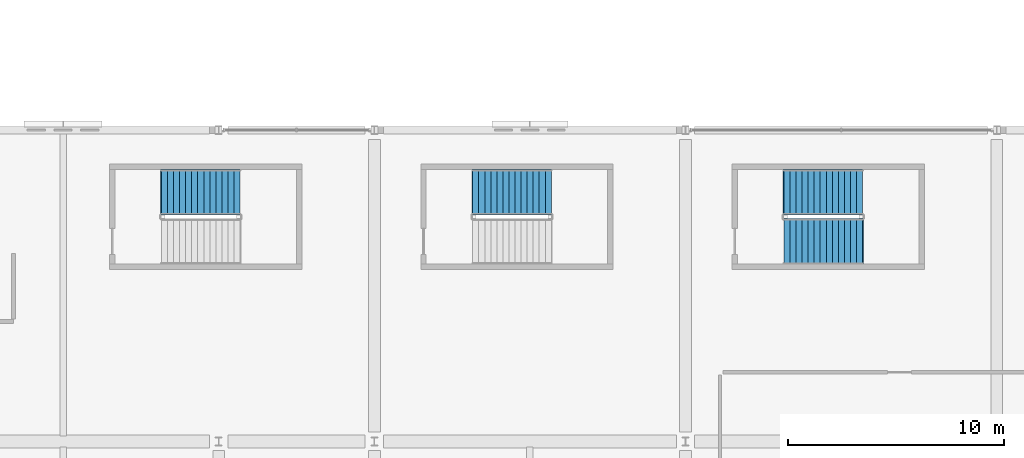
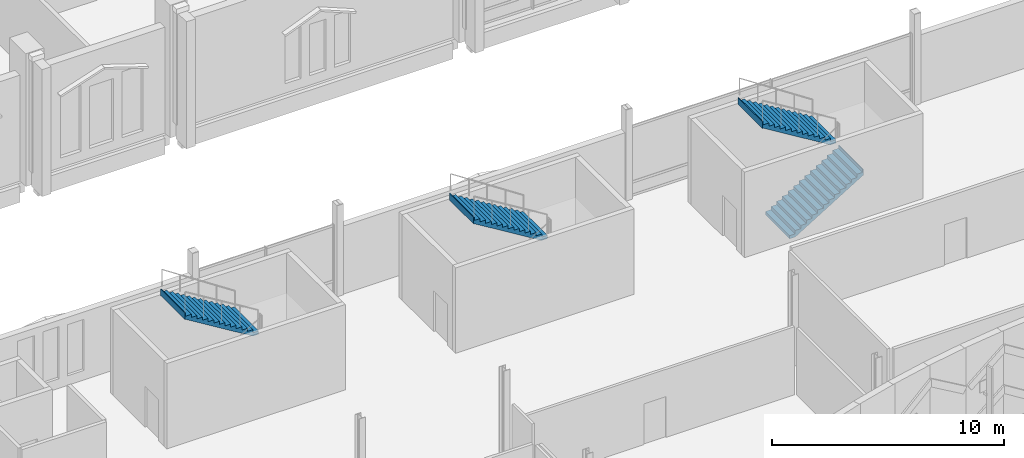
# One storey, part 186 of 220: 4 stair flights, 3 elements without a shape of their own.
"""IFC4 building model written with IfcOpenShell, lengths in metres."""

from ifc_helpers import new_model, si_unit, direction, frame, origin, place, context, subcontext, project, spatial, triangles, material, type_object, element, aggregate, save


model = new_model("IFC4")

# Units and contexts
model_context = context("Model", 3, precision=1e-05, world=origin(), true_north=direction((0.0, 1.0)))
body_context = subcontext(model_context, "Body", "Model", "MODEL_VIEW")
ifc_project = project(units=[si_unit("LENGTHUNIT", "METRE"), si_unit("AREAUNIT", "SQUARE_METRE"), si_unit("VOLUMEUNIT", "CUBIC_METRE"), si_unit("PLANEANGLEUNIT", "RADIAN"), si_unit("MASSUNIT", "GRAM", prefix="KILO")], contexts=[model_context])

# Site, building, storey
site_placement = place(None, origin())
site = spatial("IfcSite", under=ifc_project, at=site_placement, CompositionType="ELEMENT")
building_placement = place(site_placement, origin())
building = spatial("IfcBuilding", under=site, at=building_placement, Name="Cendralis Lancet Convention Centre", CompositionType="ELEMENT")
storey_placement = place(building_placement, frame((0.0, 0.0, 5.39990234375)))
storey = spatial("IfcBuildingStorey", under=building, at=storey_placement, Name="L01", CompositionType="ELEMENT", Elevation=5.39990234375)

# Stair, stair flight
ifc_material = material(Name="Concrete G35 (C35/45)", Category="concrete")
stair_type = type_object("IfcStairType", Name="ARC-ST-CORE", PredefinedType="HALF_TURN_STAIR", material=ifc_material)
stair_1_placement = place(storey_placement, origin())
stair_1 = element("IfcStair", 1, at=stair_1_placement, inside=storey, type_object=stair_type, Name="L01 Protected Exit Stair ST-12", PredefinedType="HALF_TURN_STAIR")
stair_flight_type = type_object("IfcStairFlightType", Name="ARC-SF-CORE", PredefinedType="STRAIGHT", material=ifc_material)
stair_flight_1_placement = place(storey_placement, frame((72.989990234375, 33.1298828125, 2.400146484375), z_axis=(0.0, 0.0, 1.0), x_axis=(-1.0, 0.0, 0.0)))
stair_flight_1 = element("IfcStairFlight", 2, at=stair_flight_1_placement, type_object=stair_flight_type, Name="ST-12 flight 2", NumberOfRisers=14, NumberOfTreads=13, PredefinedType="STRAIGHT", RiserHeight=0.171428571, TreadLength=0.28, context=body_context, shape_type="Tessellation", body=[
    triangles([(0.0, 0.0, 0.085714), (0.0, 1.050049, 0.0), (0.0, -1.050049, 0.0), (0.0, -1.050049, 0.171429), (0.0, 1.050049, 0.171429), (0.14, 0.0, 0.171429), (0.28, -1.050049, 0.171429), (0.28, 1.050049, 0.171429), (0.14, 0.0, 0.0), (0.28, -1.050049, 0.0), (0.28, 1.050049, 0.0), (0.28, 0.0, 0.257143), (0.28, -1.050049, 0.342857), (0.28, 1.050049, 0.342857), (0.283543, 0.0, 0.342857), (0.287085, -1.050049, 0.342857), (0.287085, 1.050049, 0.342857), (0.283543, 0.0, 0.0), (0.287085, -1.050049, 0.0), (0.287085, 1.050049, 0.0), (0.423543, 0.0, 0.342857), (0.56, -1.050049, 0.342857), (0.56, 1.050049, 0.342857), (0.423543, 0.0, 0.083545), (0.56, -1.050049, 0.167091), (0.56, 1.050049, 0.167091), (0.56, 0.0, 0.428572), (0.56, -1.050049, 0.514286), (0.56, 1.050049, 0.514286), (0.7, 0.0, 0.514286), (0.84, -1.050049, 0.514286), (0.84, 1.050049, 0.514286), (0.7, 0.0, 0.252806), (0.84, -1.050049, 0.33852), (0.84, 1.050049, 0.33852), (0.84, 0.0, 0.6), (0.84, -1.050049, 0.685714), (0.84, 1.050049, 0.685714), (0.98, 0.0, 0.685714), (1.12, -1.050049, 0.685714), (1.12, 1.050049, 0.685714), (0.98, 0.0, 0.424234), (1.12, -1.050049, 0.509948), (1.12, 1.050049, 0.509948), (1.12, 0.0, 0.771429), (1.12, -1.050049, 0.857143), (1.12, 1.050049, 0.857143), (1.26, 0.0, 0.857143), (1.4, -1.050049, 0.857143), (1.4, 1.050049, 0.857143), (1.26, 0.0, 0.595662), (1.4, -1.050049, 0.681377), (1.4, 1.050049, 0.681377), (1.4, 0.0, 0.942857), (1.4, -1.050049, 1.028571), (1.4, 1.050049, 1.028571), (1.54, 0.0, 1.028571), (1.68, -1.050049, 1.028571), (1.68, 1.050049, 1.028571), (1.54, 0.0, 0.767091), (1.68, -1.050049, 0.852805), (1.68, 1.050049, 0.852805), (1.68, 0.0, 1.114286), (1.68, -1.050049, 1.2), (1.68, 1.050049, 1.2), (1.82, 0.0, 1.2), (1.96, -1.050049, 1.2), (1.96, 1.050049, 1.2), (1.82, 0.0, 0.938519), (1.96, -1.050049, 1.024234), (1.96, 1.050049, 1.024234), (1.96, 0.0, 1.285715), (1.96, -1.050049, 1.371429), (1.96, 1.050049, 1.371429), (2.1, 0.0, 1.371429), (2.24, -1.050049, 1.371429), (2.24, 1.050049, 1.371429), (2.1, 0.0, 1.109948), (2.24, -1.050049, 1.195662), (2.24, 1.050049, 1.195662), (2.24, 0.0, 1.457143), (2.24, -1.050049, 1.542857), (2.24, 1.050049, 1.542857), (2.38, 0.0, 1.542857), (2.52, -1.050049, 1.542857), (2.52, 1.050049, 1.542857), (2.38, 0.0, 1.281376), (2.52, -1.050049, 1.367091), (2.52, 1.050049, 1.367091), (2.52, 0.0, 1.628572), (2.52, -1.050049, 1.714286), (2.52, 1.050049, 1.714286), (2.66, 0.0, 1.714286), (2.8, -1.050049, 1.714286), (2.8, 1.050049, 1.714286), (2.66, 0.0, 1.452806), (2.8, -1.050049, 1.53852), (2.8, 1.050049, 1.53852), (2.8, 0.0, 1.8), (2.8, -1.050049, 1.885714), (2.8, 1.050049, 1.885714), (2.94, 0.0, 1.885714), (3.08, -1.050049, 1.885714), (3.08, 1.050049, 1.885714), (2.94, 0.0, 1.624234), (3.08, -1.050049, 1.709948), (3.08, 1.050049, 1.709948), (3.08, 0.0, 1.971429), (3.08, -1.050049, 2.057143), (3.08, 1.050049, 2.057143), (3.22, 0.0, 2.057143), (3.36, -1.050049, 2.057143), (3.36, 1.050049, 2.057143), (3.22, 0.0, 1.795663), (3.36, -1.050049, 1.881377), (3.36, 1.050049, 1.881377), (3.36, 0.0, 2.142857), (3.36, -1.050049, 2.228571), (3.36, 1.050049, 2.228571), (3.5, 0.0, 2.228571), (3.64, -1.050049, 2.228571), (3.64, 1.050049, 2.228571), (3.5, 0.0, 1.967091), (3.64, -1.050049, 2.052805), (3.64, 1.050049, 2.052805), (3.64, 0.0, 2.314285), (3.64, -1.050049, 2.4), (3.64, 1.050049, 2.4), (3.66, 0.0, 2.4), (3.68, -1.050049, 2.4), (3.68, 1.050049, 2.4), (3.66, 0.0, 2.052805), (3.68, -1.050049, 2.052805), (3.68, 1.050049, 2.052805), (3.68, 0.0, 2.226403)], [[2, 3, 1], [3, 4, 1], [4, 5, 1], [5, 2, 1], [4, 7, 6], [7, 8, 6], [8, 5, 6], [5, 4, 6], [10, 3, 9], [3, 2, 9], [2, 11, 9], [11, 10, 9], [3, 10, 7], [3, 7, 4], [2, 8, 11], [2, 5, 8], [8, 7, 12], [7, 13, 12], [13, 14, 12], [14, 8, 12], [13, 16, 15], [16, 17, 15], [17, 14, 15], [14, 13, 15], [19, 10, 18], [10, 11, 18], [11, 20, 18], [20, 19, 18], [10, 19, 16], [10, 16, 7], [7, 16, 13], [11, 17, 20], [11, 8, 17], [8, 14, 17], [16, 22, 21], [22, 23, 21], [23, 17, 21], [17, 16, 21], [25, 19, 24], [19, 20, 24], [20, 26, 24], [26, 25, 24], [19, 25, 22], [19, 22, 16], [20, 23, 26], [20, 17, 23], [23, 22, 27], [22, 28, 27], [28, 29, 27], [29, 23, 27], [28, 31, 30], [31, 32, 30], [32, 29, 30], [29, 28, 30], [34, 25, 33], [25, 26, 33], [26, 35, 33], [35, 34, 33], [25, 34, 31], [25, 31, 22], [22, 31, 28], [26, 32, 35], [26, 23, 32], [23, 29, 32], [32, 31, 36], [31, 37, 36], [37, 38, 36], [38, 32, 36], [37, 40, 39], [40, 41, 39], [41, 38, 39], [38, 37, 39], [43, 34, 42], [34, 35, 42], [35, 44, 42], [44, 43, 42], [34, 43, 40], [34, 40, 31], [31, 40, 37], [35, 41, 44], [35, 32, 41], [32, 38, 41], [41, 40, 45], [40, 46, 45], [46, 47, 45], [47, 41, 45], [46, 49, 48], [49, 50, 48], [50, 47, 48], [47, 46, 48], [52, 43, 51], [43, 44, 51], [44, 53, 51], [53, 52, 51], [43, 52, 49], [43, 49, 40], [40, 49, 46], [44, 50, 53], [44, 41, 50], [41, 47, 50], [50, 49, 54], [49, 55, 54], [55, 56, 54], [56, 50, 54], [55, 58, 57], [58, 59, 57], [59, 56, 57], [56, 55, 57], [61, 52, 60], [52, 53, 60], [53, 62, 60], [62, 61, 60], [52, 61, 58], [52, 58, 49], [49, 58, 55], [53, 59, 62], [53, 50, 59], [50, 56, 59], [59, 58, 63], [58, 64, 63], [64, 65, 63], [65, 59, 63], [64, 67, 66], [67, 68, 66], [68, 65, 66], [65, 64, 66], [70, 61, 69], [61, 62, 69], [62, 71, 69], [71, 70, 69], [61, 70, 67], [61, 67, 58], [58, 67, 64], [62, 68, 71], [62, 59, 68], [59, 65, 68], [68, 67, 72], [67, 73, 72], [73, 74, 72], [74, 68, 72], [73, 76, 75], [76, 77, 75], [77, 74, 75], [74, 73, 75], [79, 70, 78], [70, 71, 78], [71, 80, 78], [80, 79, 78], [70, 79, 76], [70, 76, 67], [67, 76, 73], [71, 77, 80], [71, 68, 77], [68, 74, 77], [77, 76, 81], [76, 82, 81], [82, 83, 81], [83, 77, 81], [82, 85, 84], [85, 86, 84], [86, 83, 84], [83, 82, 84], [88, 79, 87], [79, 80, 87], [80, 89, 87], [89, 88, 87], [79, 88, 85], [79, 85, 76], [76, 85, 82], [80, 86, 89], [80, 77, 86], [77, 83, 86], [86, 85, 90], [85, 91, 90], [91, 92, 90], [92, 86, 90], [91, 94, 93], [94, 95, 93], [95, 92, 93], [92, 91, 93], [97, 88, 96], [88, 89, 96], [89, 98, 96], [98, 97, 96], [88, 97, 94], [88, 94, 85], [85, 94, 91], [89, 95, 98], [89, 86, 95], [86, 92, 95], [95, 94, 99], [94, 100, 99], [100, 101, 99], [101, 95, 99], [100, 103, 102], [103, 104, 102], [104, 101, 102], [101, 100, 102], [106, 97, 105], [97, 98, 105], [98, 107, 105], [107, 106, 105], [97, 106, 103], [97, 103, 94], [94, 103, 100], [98, 104, 107], [98, 95, 104], [95, 101, 104], [104, 103, 108], [103, 109, 108], [109, 110, 108], [110, 104, 108], [109, 112, 111], [112, 113, 111], [113, 110, 111], [110, 109, 111], [115, 106, 114], [106, 107, 114], [107, 116, 114], [116, 115, 114], [106, 115, 112], [106, 112, 103], [103, 112, 109], [107, 113, 116], [107, 104, 113], [104, 110, 113], [113, 112, 117], [112, 118, 117], [118, 119, 117], [119, 113, 117], [118, 121, 120], [121, 122, 120], [122, 119, 120], [119, 118, 120], [124, 115, 123], [115, 116, 123], [116, 125, 123], [125, 124, 123], [115, 124, 121], [115, 121, 112], [112, 121, 118], [116, 122, 125], [116, 113, 122], [113, 119, 122], [122, 121, 126], [121, 127, 126], [127, 128, 126], [128, 122, 126], [127, 130, 129], [130, 131, 129], [131, 128, 129], [128, 127, 129], [133, 124, 132], [124, 125, 132], [125, 134, 132], [134, 133, 132], [124, 133, 130], [124, 130, 121], [121, 130, 127], [125, 131, 134], [125, 122, 131], [122, 128, 131], [133, 134, 135], [134, 131, 135], [131, 130, 135], [130, 133, 135]], closed=True),
])
aggregate(stair_1, [stair_flight_1])

# Stair, stair flights
stair_2_placement = place(storey_placement, origin())
stair_2 = element("IfcStair", 3, at=stair_2_placement, inside=storey, type_object=stair_type, Name="L01 Protected Exit Stair ST-18", PredefinedType="HALF_TURN_STAIR")
stair_flight_2_placement = place(storey_placement, frame((98.14990234375, 30.85009765625, 0.0), z_axis=(0.0, 0.0, 1.0), x_axis=(1.0, 0.0, 0.0)))
stair_flight_2 = element("IfcStairFlight", 4, at=stair_flight_2_placement, type_object=stair_flight_type, Name="ST-18 flight 1", NumberOfRisers=14, NumberOfTreads=13, PredefinedType="STRAIGHT", RiserHeight=0.171428571, TreadLength=0.28, context=body_context, shape_type="Tessellation", body=[
    triangles([(0.0, 0.0, 0.085714), (0.0, 1.050049, 0.0), (0.0, -1.050049, 0.0), (0.0, -1.050049, 0.171429), (0.0, 1.050049, 0.171429), (0.14, 0.0, 0.171429), (0.28, -1.050049, 0.171429), (0.28, 1.050049, 0.171429), (0.14, 0.0, 0.0), (0.28, -1.050049, 0.0), (0.28, 1.050049, 0.0), (0.28, 0.0, 0.257143), (0.28, -1.050049, 0.342857), (0.28, 1.050049, 0.342857), (0.283543, 0.0, 0.342857), (0.287085, -1.050049, 0.342857), (0.287085, 1.050049, 0.342857), (0.283543, 0.0, 0.0), (0.287085, -1.050049, 0.0), (0.287085, 1.050049, 0.0), (0.423543, 0.0, 0.342857), (0.56, -1.050049, 0.342857), (0.56, 1.050049, 0.342857), (0.423543, 0.0, 0.083545), (0.56, -1.050049, 0.167091), (0.56, 1.050049, 0.167091), (0.56, 0.0, 0.428572), (0.56, -1.050049, 0.514286), (0.56, 1.050049, 0.514286), (0.7, 0.0, 0.514286), (0.84, -1.050049, 0.514286), (0.84, 1.050049, 0.514286), (0.7, 0.0, 0.252806), (0.84, -1.050049, 0.33852), (0.84, 1.050049, 0.33852), (0.84, 0.0, 0.6), (0.84, -1.050049, 0.685714), (0.84, 1.050049, 0.685714), (0.98, 0.0, 0.685714), (1.12, -1.050049, 0.685714), (1.12, 1.050049, 0.685714), (0.98, 0.0, 0.424234), (1.12, -1.050049, 0.509948), (1.12, 1.050049, 0.509948), (1.12, 0.0, 0.771429), (1.12, -1.050049, 0.857143), (1.12, 1.050049, 0.857143), (1.26, 0.0, 0.857143), (1.4, -1.050049, 0.857143), (1.4, 1.050049, 0.857143), (1.26, 0.0, 0.595662), (1.4, -1.050049, 0.681377), (1.4, 1.050049, 0.681377), (1.4, 0.0, 0.942857), (1.4, -1.050049, 1.028571), (1.4, 1.050049, 1.028571), (1.54, 0.0, 1.028571), (1.68, -1.050049, 1.028571), (1.68, 1.050049, 1.028571), (1.54, 0.0, 0.767091), (1.68, -1.050049, 0.852805), (1.68, 1.050049, 0.852805), (1.68, 0.0, 1.114286), (1.68, -1.050049, 1.2), (1.68, 1.050049, 1.2), (1.82, 0.0, 1.2), (1.96, -1.050049, 1.2), (1.96, 1.050049, 1.2), (1.82, 0.0, 0.938519), (1.96, -1.050049, 1.024234), (1.96, 1.050049, 1.024234), (1.96, 0.0, 1.285715), (1.96, -1.050049, 1.371429), (1.96, 1.050049, 1.371429), (2.1, 0.0, 1.371429), (2.24, -1.050049, 1.371429), (2.24, 1.050049, 1.371429), (2.1, 0.0, 1.109948), (2.24, -1.050049, 1.195662), (2.24, 1.050049, 1.195662), (2.24, 0.0, 1.457143), (2.24, -1.050049, 1.542857), (2.24, 1.050049, 1.542857), (2.38, 0.0, 1.542857), (2.52, -1.050049, 1.542857), (2.52, 1.050049, 1.542857), (2.38, 0.0, 1.281376), (2.52, -1.050049, 1.367091), (2.52, 1.050049, 1.367091), (2.52, 0.0, 1.628572), (2.52, -1.050049, 1.714286), (2.52, 1.050049, 1.714286), (2.66, 0.0, 1.714286), (2.8, -1.050049, 1.714286), (2.8, 1.050049, 1.714286), (2.66, 0.0, 1.452806), (2.8, -1.050049, 1.53852), (2.8, 1.050049, 1.53852), (2.8, 0.0, 1.8), (2.8, -1.050049, 1.885714), (2.8, 1.050049, 1.885714), (2.94, 0.0, 1.885714), (3.08, -1.050049, 1.885714), (3.08, 1.050049, 1.885714), (2.94, 0.0, 1.624234), (3.08, -1.050049, 1.709948), (3.08, 1.050049, 1.709948), (3.08, 0.0, 1.971429), (3.08, -1.050049, 2.057143), (3.08, 1.050049, 2.057143), (3.22, 0.0, 2.057143), (3.36, -1.050049, 2.057143), (3.36, 1.050049, 2.057143), (3.22, 0.0, 1.795663), (3.36, -1.050049, 1.881377), (3.36, 1.050049, 1.881377), (3.36, 0.0, 2.142857), (3.36, -1.050049, 2.228571), (3.36, 1.050049, 2.228571), (3.5, 0.0, 2.228571), (3.64, -1.050049, 2.228571), (3.64, 1.050049, 2.228571), (3.5, 0.0, 1.967091), (3.64, -1.050049, 2.052805), (3.64, 1.050049, 2.052805), (3.64, 0.0, 2.314285), (3.64, -1.050049, 2.4), (3.64, 1.050049, 2.4), (3.66, 0.0, 2.4), (3.68, -1.050049, 2.4), (3.68, 1.050049, 2.4), (3.66, 0.0, 2.052805), (3.68, -1.050049, 2.052805), (3.68, 1.050049, 2.052805), (3.68, 0.0, 2.226403)], [[2, 3, 1], [3, 4, 1], [4, 5, 1], [5, 2, 1], [4, 7, 6], [7, 8, 6], [8, 5, 6], [5, 4, 6], [10, 3, 9], [3, 2, 9], [2, 11, 9], [11, 10, 9], [3, 10, 7], [3, 7, 4], [2, 8, 11], [2, 5, 8], [8, 7, 12], [7, 13, 12], [13, 14, 12], [14, 8, 12], [13, 16, 15], [16, 17, 15], [17, 14, 15], [14, 13, 15], [19, 10, 18], [10, 11, 18], [11, 20, 18], [20, 19, 18], [10, 19, 16], [10, 16, 7], [7, 16, 13], [11, 17, 20], [11, 8, 17], [8, 14, 17], [16, 22, 21], [22, 23, 21], [23, 17, 21], [17, 16, 21], [25, 19, 24], [19, 20, 24], [20, 26, 24], [26, 25, 24], [19, 25, 22], [19, 22, 16], [20, 23, 26], [20, 17, 23], [23, 22, 27], [22, 28, 27], [28, 29, 27], [29, 23, 27], [28, 31, 30], [31, 32, 30], [32, 29, 30], [29, 28, 30], [34, 25, 33], [25, 26, 33], [26, 35, 33], [35, 34, 33], [25, 34, 31], [25, 31, 22], [22, 31, 28], [26, 32, 35], [26, 23, 32], [23, 29, 32], [32, 31, 36], [31, 37, 36], [37, 38, 36], [38, 32, 36], [37, 40, 39], [40, 41, 39], [41, 38, 39], [38, 37, 39], [43, 34, 42], [34, 35, 42], [35, 44, 42], [44, 43, 42], [34, 43, 40], [34, 40, 31], [31, 40, 37], [35, 41, 44], [35, 32, 41], [32, 38, 41], [41, 40, 45], [40, 46, 45], [46, 47, 45], [47, 41, 45], [46, 49, 48], [49, 50, 48], [50, 47, 48], [47, 46, 48], [52, 43, 51], [43, 44, 51], [44, 53, 51], [53, 52, 51], [43, 52, 49], [43, 49, 40], [40, 49, 46], [44, 50, 53], [44, 41, 50], [41, 47, 50], [50, 49, 54], [49, 55, 54], [55, 56, 54], [56, 50, 54], [55, 58, 57], [58, 59, 57], [59, 56, 57], [56, 55, 57], [61, 52, 60], [52, 53, 60], [53, 62, 60], [62, 61, 60], [52, 61, 58], [52, 58, 49], [49, 58, 55], [53, 59, 62], [53, 50, 59], [50, 56, 59], [59, 58, 63], [58, 64, 63], [64, 65, 63], [65, 59, 63], [64, 67, 66], [67, 68, 66], [68, 65, 66], [65, 64, 66], [70, 61, 69], [61, 62, 69], [62, 71, 69], [71, 70, 69], [61, 70, 67], [61, 67, 58], [58, 67, 64], [62, 68, 71], [62, 59, 68], [59, 65, 68], [68, 67, 72], [67, 73, 72], [73, 74, 72], [74, 68, 72], [73, 76, 75], [76, 77, 75], [77, 74, 75], [74, 73, 75], [79, 70, 78], [70, 71, 78], [71, 80, 78], [80, 79, 78], [70, 79, 76], [70, 76, 67], [67, 76, 73], [71, 77, 80], [71, 68, 77], [68, 74, 77], [77, 76, 81], [76, 82, 81], [82, 83, 81], [83, 77, 81], [82, 85, 84], [85, 86, 84], [86, 83, 84], [83, 82, 84], [88, 79, 87], [79, 80, 87], [80, 89, 87], [89, 88, 87], [79, 88, 85], [79, 85, 76], [76, 85, 82], [80, 86, 89], [80, 77, 86], [77, 83, 86], [86, 85, 90], [85, 91, 90], [91, 92, 90], [92, 86, 90], [91, 94, 93], [94, 95, 93], [95, 92, 93], [92, 91, 93], [97, 88, 96], [88, 89, 96], [89, 98, 96], [98, 97, 96], [88, 97, 94], [88, 94, 85], [85, 94, 91], [89, 95, 98], [89, 86, 95], [86, 92, 95], [95, 94, 99], [94, 100, 99], [100, 101, 99], [101, 95, 99], [100, 103, 102], [103, 104, 102], [104, 101, 102], [101, 100, 102], [106, 97, 105], [97, 98, 105], [98, 107, 105], [107, 106, 105], [97, 106, 103], [97, 103, 94], [94, 103, 100], [98, 104, 107], [98, 95, 104], [95, 101, 104], [104, 103, 108], [103, 109, 108], [109, 110, 108], [110, 104, 108], [109, 112, 111], [112, 113, 111], [113, 110, 111], [110, 109, 111], [115, 106, 114], [106, 107, 114], [107, 116, 114], [116, 115, 114], [106, 115, 112], [106, 112, 103], [103, 112, 109], [107, 113, 116], [107, 104, 113], [104, 110, 113], [113, 112, 117], [112, 118, 117], [118, 119, 117], [119, 113, 117], [118, 121, 120], [121, 122, 120], [122, 119, 120], [119, 118, 120], [124, 115, 123], [115, 116, 123], [116, 125, 123], [125, 124, 123], [115, 124, 121], [115, 121, 112], [112, 121, 118], [116, 122, 125], [116, 113, 122], [113, 119, 122], [122, 121, 126], [121, 127, 126], [127, 128, 126], [128, 122, 126], [127, 130, 129], [130, 131, 129], [131, 128, 129], [128, 127, 129], [133, 124, 132], [124, 125, 132], [125, 134, 132], [134, 133, 132], [124, 133, 130], [124, 130, 121], [121, 130, 127], [125, 131, 134], [125, 122, 131], [122, 128, 131], [133, 134, 135], [134, 131, 135], [131, 130, 135], [130, 133, 135]], closed=True),
])
stair_flight_3_placement = place(storey_placement, frame((101.7900390625, 33.1298828125, 2.400146484375), z_axis=(0.0, 0.0, 1.0), x_axis=(-1.0, 0.0, 0.0)))
stair_flight_3 = element("IfcStairFlight", 5, at=stair_flight_3_placement, type_object=stair_flight_type, Name="ST-18 flight 2", NumberOfRisers=14, NumberOfTreads=13, PredefinedType="STRAIGHT", RiserHeight=0.171428571, TreadLength=0.28, context=body_context, shape_type="Tessellation", body=[
    triangles([(0.0, 0.0, 0.085714), (0.0, 1.050049, 0.0), (0.0, -1.050049, 0.0), (0.0, -1.050049, 0.171429), (0.0, 1.050049, 0.171429), (0.14, 0.0, 0.171429), (0.28, -1.050049, 0.171429), (0.28, 1.050049, 0.171429), (0.14, 0.0, 0.0), (0.28, -1.050049, 0.0), (0.28, 1.050049, 0.0), (0.28, 0.0, 0.257143), (0.28, -1.050049, 0.342857), (0.28, 1.050049, 0.342857), (0.283543, 0.0, 0.342857), (0.287085, -1.050049, 0.342857), (0.287085, 1.050049, 0.342857), (0.283543, 0.0, 0.0), (0.287085, -1.050049, 0.0), (0.287085, 1.050049, 0.0), (0.423543, 0.0, 0.342857), (0.56, -1.050049, 0.342857), (0.56, 1.050049, 0.342857), (0.423543, 0.0, 0.083545), (0.56, -1.050049, 0.167091), (0.56, 1.050049, 0.167091), (0.56, 0.0, 0.428572), (0.56, -1.050049, 0.514286), (0.56, 1.050049, 0.514286), (0.7, 0.0, 0.514286), (0.84, -1.050049, 0.514286), (0.84, 1.050049, 0.514286), (0.7, 0.0, 0.252806), (0.84, -1.050049, 0.33852), (0.84, 1.050049, 0.33852), (0.84, 0.0, 0.6), (0.84, -1.050049, 0.685714), (0.84, 1.050049, 0.685714), (0.98, 0.0, 0.685714), (1.12, -1.050049, 0.685714), (1.12, 1.050049, 0.685714), (0.98, 0.0, 0.424234), (1.12, -1.050049, 0.509948), (1.12, 1.050049, 0.509948), (1.12, 0.0, 0.771429), (1.12, -1.050049, 0.857143), (1.12, 1.050049, 0.857143), (1.26, 0.0, 0.857143), (1.4, -1.050049, 0.857143), (1.4, 1.050049, 0.857143), (1.26, 0.0, 0.595662), (1.4, -1.050049, 0.681377), (1.4, 1.050049, 0.681377), (1.4, 0.0, 0.942857), (1.4, -1.050049, 1.028571), (1.4, 1.050049, 1.028571), (1.54, 0.0, 1.028571), (1.68, -1.050049, 1.028571), (1.68, 1.050049, 1.028571), (1.54, 0.0, 0.767091), (1.68, -1.050049, 0.852805), (1.68, 1.050049, 0.852805), (1.68, 0.0, 1.114286), (1.68, -1.050049, 1.2), (1.68, 1.050049, 1.2), (1.82, 0.0, 1.2), (1.96, -1.050049, 1.2), (1.96, 1.050049, 1.2), (1.82, 0.0, 0.938519), (1.96, -1.050049, 1.024234), (1.96, 1.050049, 1.024234), (1.96, 0.0, 1.285715), (1.96, -1.050049, 1.371429), (1.96, 1.050049, 1.371429), (2.1, 0.0, 1.371429), (2.24, -1.050049, 1.371429), (2.24, 1.050049, 1.371429), (2.1, 0.0, 1.109948), (2.24, -1.050049, 1.195662), (2.24, 1.050049, 1.195662), (2.24, 0.0, 1.457143), (2.24, -1.050049, 1.542857), (2.24, 1.050049, 1.542857), (2.38, 0.0, 1.542857), (2.52, -1.050049, 1.542857), (2.52, 1.050049, 1.542857), (2.38, 0.0, 1.281376), (2.52, -1.050049, 1.367091), (2.52, 1.050049, 1.367091), (2.52, 0.0, 1.628572), (2.52, -1.050049, 1.714286), (2.52, 1.050049, 1.714286), (2.66, 0.0, 1.714286), (2.8, -1.050049, 1.714286), (2.8, 1.050049, 1.714286), (2.66, 0.0, 1.452806), (2.8, -1.050049, 1.53852), (2.8, 1.050049, 1.53852), (2.8, 0.0, 1.8), (2.8, -1.050049, 1.885714), (2.8, 1.050049, 1.885714), (2.94, 0.0, 1.885714), (3.08, -1.050049, 1.885714), (3.08, 1.050049, 1.885714), (2.94, 0.0, 1.624234), (3.08, -1.050049, 1.709948), (3.08, 1.050049, 1.709948), (3.08, 0.0, 1.971429), (3.08, -1.050049, 2.057143), (3.08, 1.050049, 2.057143), (3.22, 0.0, 2.057143), (3.36, -1.050049, 2.057143), (3.36, 1.050049, 2.057143), (3.22, 0.0, 1.795663), (3.36, -1.050049, 1.881377), (3.36, 1.050049, 1.881377), (3.36, 0.0, 2.142857), (3.36, -1.050049, 2.228571), (3.36, 1.050049, 2.228571), (3.5, 0.0, 2.228571), (3.64, -1.050049, 2.228571), (3.64, 1.050049, 2.228571), (3.5, 0.0, 1.967091), (3.64, -1.050049, 2.052805), (3.64, 1.050049, 2.052805), (3.64, 0.0, 2.314285), (3.64, -1.050049, 2.4), (3.64, 1.050049, 2.4), (3.66, 0.0, 2.4), (3.68, -1.050049, 2.4), (3.68, 1.050049, 2.4), (3.66, 0.0, 2.052805), (3.68, -1.050049, 2.052805), (3.68, 1.050049, 2.052805), (3.68, 0.0, 2.226403)], [[2, 3, 1], [3, 4, 1], [4, 5, 1], [5, 2, 1], [4, 7, 6], [7, 8, 6], [8, 5, 6], [5, 4, 6], [10, 3, 9], [3, 2, 9], [2, 11, 9], [11, 10, 9], [3, 10, 7], [3, 7, 4], [2, 8, 11], [2, 5, 8], [8, 7, 12], [7, 13, 12], [13, 14, 12], [14, 8, 12], [13, 16, 15], [16, 17, 15], [17, 14, 15], [14, 13, 15], [19, 10, 18], [10, 11, 18], [11, 20, 18], [20, 19, 18], [10, 19, 16], [10, 16, 7], [7, 16, 13], [11, 17, 20], [11, 8, 17], [8, 14, 17], [16, 22, 21], [22, 23, 21], [23, 17, 21], [17, 16, 21], [25, 19, 24], [19, 20, 24], [20, 26, 24], [26, 25, 24], [19, 25, 22], [19, 22, 16], [20, 23, 26], [20, 17, 23], [23, 22, 27], [22, 28, 27], [28, 29, 27], [29, 23, 27], [28, 31, 30], [31, 32, 30], [32, 29, 30], [29, 28, 30], [34, 25, 33], [25, 26, 33], [26, 35, 33], [35, 34, 33], [25, 34, 31], [25, 31, 22], [22, 31, 28], [26, 32, 35], [26, 23, 32], [23, 29, 32], [32, 31, 36], [31, 37, 36], [37, 38, 36], [38, 32, 36], [37, 40, 39], [40, 41, 39], [41, 38, 39], [38, 37, 39], [43, 34, 42], [34, 35, 42], [35, 44, 42], [44, 43, 42], [34, 43, 40], [34, 40, 31], [31, 40, 37], [35, 41, 44], [35, 32, 41], [32, 38, 41], [41, 40, 45], [40, 46, 45], [46, 47, 45], [47, 41, 45], [46, 49, 48], [49, 50, 48], [50, 47, 48], [47, 46, 48], [52, 43, 51], [43, 44, 51], [44, 53, 51], [53, 52, 51], [43, 52, 49], [43, 49, 40], [40, 49, 46], [44, 50, 53], [44, 41, 50], [41, 47, 50], [50, 49, 54], [49, 55, 54], [55, 56, 54], [56, 50, 54], [55, 58, 57], [58, 59, 57], [59, 56, 57], [56, 55, 57], [61, 52, 60], [52, 53, 60], [53, 62, 60], [62, 61, 60], [52, 61, 58], [52, 58, 49], [49, 58, 55], [53, 59, 62], [53, 50, 59], [50, 56, 59], [59, 58, 63], [58, 64, 63], [64, 65, 63], [65, 59, 63], [64, 67, 66], [67, 68, 66], [68, 65, 66], [65, 64, 66], [70, 61, 69], [61, 62, 69], [62, 71, 69], [71, 70, 69], [61, 70, 67], [61, 67, 58], [58, 67, 64], [62, 68, 71], [62, 59, 68], [59, 65, 68], [68, 67, 72], [67, 73, 72], [73, 74, 72], [74, 68, 72], [73, 76, 75], [76, 77, 75], [77, 74, 75], [74, 73, 75], [79, 70, 78], [70, 71, 78], [71, 80, 78], [80, 79, 78], [70, 79, 76], [70, 76, 67], [67, 76, 73], [71, 77, 80], [71, 68, 77], [68, 74, 77], [77, 76, 81], [76, 82, 81], [82, 83, 81], [83, 77, 81], [82, 85, 84], [85, 86, 84], [86, 83, 84], [83, 82, 84], [88, 79, 87], [79, 80, 87], [80, 89, 87], [89, 88, 87], [79, 88, 85], [79, 85, 76], [76, 85, 82], [80, 86, 89], [80, 77, 86], [77, 83, 86], [86, 85, 90], [85, 91, 90], [91, 92, 90], [92, 86, 90], [91, 94, 93], [94, 95, 93], [95, 92, 93], [92, 91, 93], [97, 88, 96], [88, 89, 96], [89, 98, 96], [98, 97, 96], [88, 97, 94], [88, 94, 85], [85, 94, 91], [89, 95, 98], [89, 86, 95], [86, 92, 95], [95, 94, 99], [94, 100, 99], [100, 101, 99], [101, 95, 99], [100, 103, 102], [103, 104, 102], [104, 101, 102], [101, 100, 102], [106, 97, 105], [97, 98, 105], [98, 107, 105], [107, 106, 105], [97, 106, 103], [97, 103, 94], [94, 103, 100], [98, 104, 107], [98, 95, 104], [95, 101, 104], [104, 103, 108], [103, 109, 108], [109, 110, 108], [110, 104, 108], [109, 112, 111], [112, 113, 111], [113, 110, 111], [110, 109, 111], [115, 106, 114], [106, 107, 114], [107, 116, 114], [116, 115, 114], [106, 115, 112], [106, 112, 103], [103, 112, 109], [107, 113, 116], [107, 104, 113], [104, 110, 113], [113, 112, 117], [112, 118, 117], [118, 119, 117], [119, 113, 117], [118, 121, 120], [121, 122, 120], [122, 119, 120], [119, 118, 120], [124, 115, 123], [115, 116, 123], [116, 125, 123], [125, 124, 123], [115, 124, 121], [115, 121, 112], [112, 121, 118], [116, 122, 125], [116, 113, 122], [113, 119, 122], [122, 121, 126], [121, 127, 126], [127, 128, 126], [128, 122, 126], [127, 130, 129], [130, 131, 129], [131, 128, 129], [128, 127, 129], [133, 124, 132], [124, 125, 132], [125, 134, 132], [134, 133, 132], [124, 133, 130], [124, 130, 121], [121, 130, 127], [125, 131, 134], [125, 122, 131], [122, 128, 131], [133, 134, 135], [134, 131, 135], [131, 130, 135], [130, 133, 135]], closed=True),
])
aggregate(stair_2, [stair_flight_2, stair_flight_3])

# Stair, stair flight
stair_3_placement = place(storey_placement, origin())
stair_3 = element("IfcStair", 6, at=stair_3_placement, inside=storey, type_object=stair_type, Name="L01 Protected Exit Stair ST-21", PredefinedType="HALF_TURN_STAIR")
stair_flight_4_placement = place(storey_placement, frame((87.389892578125, 33.1298828125, 2.400146484375), z_axis=(0.0, 0.0, 1.0), x_axis=(-1.0, 0.0, 0.0)))
stair_flight_4 = element("IfcStairFlight", 7, at=stair_flight_4_placement, type_object=stair_flight_type, Name="ST-21 flight 2", NumberOfRisers=14, NumberOfTreads=13, PredefinedType="STRAIGHT", RiserHeight=0.171428571, TreadLength=0.28, context=body_context, shape_type="Tessellation", body=[
    triangles([(0.0, 0.0, 0.085714), (0.0, 1.050049, 0.0), (0.0, -1.050049, 0.0), (0.0, -1.050049, 0.171429), (0.0, 1.050049, 0.171429), (0.14, 0.0, 0.171429), (0.28, -1.050049, 0.171429), (0.28, 1.050049, 0.171429), (0.14, 0.0, 0.0), (0.28, -1.050049, 0.0), (0.28, 1.050049, 0.0), (0.28, 0.0, 0.257143), (0.28, -1.050049, 0.342857), (0.28, 1.050049, 0.342857), (0.283543, 0.0, 0.342857), (0.287085, -1.050049, 0.342857), (0.287085, 1.050049, 0.342857), (0.283543, 0.0, 0.0), (0.287085, -1.050049, 0.0), (0.287085, 1.050049, 0.0), (0.423543, 0.0, 0.342857), (0.56, -1.050049, 0.342857), (0.56, 1.050049, 0.342857), (0.423543, 0.0, 0.083545), (0.56, -1.050049, 0.167091), (0.56, 1.050049, 0.167091), (0.56, 0.0, 0.428572), (0.56, -1.050049, 0.514286), (0.56, 1.050049, 0.514286), (0.7, 0.0, 0.514286), (0.84, -1.050049, 0.514286), (0.84, 1.050049, 0.514286), (0.7, 0.0, 0.252806), (0.84, -1.050049, 0.33852), (0.84, 1.050049, 0.33852), (0.84, 0.0, 0.6), (0.84, -1.050049, 0.685714), (0.84, 1.050049, 0.685714), (0.98, 0.0, 0.685714), (1.12, -1.050049, 0.685714), (1.12, 1.050049, 0.685714), (0.98, 0.0, 0.424234), (1.12, -1.050049, 0.509948), (1.12, 1.050049, 0.509948), (1.12, 0.0, 0.771429), (1.12, -1.050049, 0.857143), (1.12, 1.050049, 0.857143), (1.26, 0.0, 0.857143), (1.4, -1.050049, 0.857143), (1.4, 1.050049, 0.857143), (1.26, 0.0, 0.595662), (1.4, -1.050049, 0.681377), (1.4, 1.050049, 0.681377), (1.4, 0.0, 0.942857), (1.4, -1.050049, 1.028571), (1.4, 1.050049, 1.028571), (1.54, 0.0, 1.028571), (1.68, -1.050049, 1.028571), (1.68, 1.050049, 1.028571), (1.54, 0.0, 0.767091), (1.68, -1.050049, 0.852805), (1.68, 1.050049, 0.852805), (1.68, 0.0, 1.114286), (1.68, -1.050049, 1.2), (1.68, 1.050049, 1.2), (1.82, 0.0, 1.2), (1.96, -1.050049, 1.2), (1.96, 1.050049, 1.2), (1.82, 0.0, 0.938519), (1.96, -1.050049, 1.024234), (1.96, 1.050049, 1.024234), (1.96, 0.0, 1.285715), (1.96, -1.050049, 1.371429), (1.96, 1.050049, 1.371429), (2.1, 0.0, 1.371429), (2.24, -1.050049, 1.371429), (2.24, 1.050049, 1.371429), (2.1, 0.0, 1.109948), (2.24, -1.050049, 1.195662), (2.24, 1.050049, 1.195662), (2.24, 0.0, 1.457143), (2.24, -1.050049, 1.542857), (2.24, 1.050049, 1.542857), (2.38, 0.0, 1.542857), (2.52, -1.050049, 1.542857), (2.52, 1.050049, 1.542857), (2.38, 0.0, 1.281376), (2.52, -1.050049, 1.367091), (2.52, 1.050049, 1.367091), (2.52, 0.0, 1.628572), (2.52, -1.050049, 1.714286), (2.52, 1.050049, 1.714286), (2.66, 0.0, 1.714286), (2.8, -1.050049, 1.714286), (2.8, 1.050049, 1.714286), (2.66, 0.0, 1.452806), (2.8, -1.050049, 1.53852), (2.8, 1.050049, 1.53852), (2.8, 0.0, 1.8), (2.8, -1.050049, 1.885714), (2.8, 1.050049, 1.885714), (2.94, 0.0, 1.885714), (3.08, -1.050049, 1.885714), (3.08, 1.050049, 1.885714), (2.94, 0.0, 1.624234), (3.08, -1.050049, 1.709948), (3.08, 1.050049, 1.709948), (3.08, 0.0, 1.971429), (3.08, -1.050049, 2.057143), (3.08, 1.050049, 2.057143), (3.22, 0.0, 2.057143), (3.36, -1.050049, 2.057143), (3.36, 1.050049, 2.057143), (3.22, 0.0, 1.795663), (3.36, -1.050049, 1.881377), (3.36, 1.050049, 1.881377), (3.36, 0.0, 2.142857), (3.36, -1.050049, 2.228571), (3.36, 1.050049, 2.228571), (3.5, 0.0, 2.228571), (3.64, -1.050049, 2.228571), (3.64, 1.050049, 2.228571), (3.5, 0.0, 1.967091), (3.64, -1.050049, 2.052805), (3.64, 1.050049, 2.052805), (3.64, 0.0, 2.314285), (3.64, -1.050049, 2.4), (3.64, 1.050049, 2.4), (3.66, 0.0, 2.4), (3.68, -1.050049, 2.4), (3.68, 1.050049, 2.4), (3.66, 0.0, 2.052805), (3.68, -1.050049, 2.052805), (3.68, 1.050049, 2.052805), (3.68, 0.0, 2.226403)], [[2, 3, 1], [3, 4, 1], [4, 5, 1], [5, 2, 1], [4, 7, 6], [7, 8, 6], [8, 5, 6], [5, 4, 6], [10, 3, 9], [3, 2, 9], [2, 11, 9], [11, 10, 9], [3, 10, 7], [3, 7, 4], [2, 8, 11], [2, 5, 8], [8, 7, 12], [7, 13, 12], [13, 14, 12], [14, 8, 12], [13, 16, 15], [16, 17, 15], [17, 14, 15], [14, 13, 15], [19, 10, 18], [10, 11, 18], [11, 20, 18], [20, 19, 18], [10, 19, 16], [10, 16, 7], [7, 16, 13], [11, 17, 20], [11, 8, 17], [8, 14, 17], [16, 22, 21], [22, 23, 21], [23, 17, 21], [17, 16, 21], [25, 19, 24], [19, 20, 24], [20, 26, 24], [26, 25, 24], [19, 25, 22], [19, 22, 16], [20, 23, 26], [20, 17, 23], [23, 22, 27], [22, 28, 27], [28, 29, 27], [29, 23, 27], [28, 31, 30], [31, 32, 30], [32, 29, 30], [29, 28, 30], [34, 25, 33], [25, 26, 33], [26, 35, 33], [35, 34, 33], [25, 34, 31], [25, 31, 22], [22, 31, 28], [26, 32, 35], [26, 23, 32], [23, 29, 32], [32, 31, 36], [31, 37, 36], [37, 38, 36], [38, 32, 36], [37, 40, 39], [40, 41, 39], [41, 38, 39], [38, 37, 39], [43, 34, 42], [34, 35, 42], [35, 44, 42], [44, 43, 42], [34, 43, 40], [34, 40, 31], [31, 40, 37], [35, 41, 44], [35, 32, 41], [32, 38, 41], [41, 40, 45], [40, 46, 45], [46, 47, 45], [47, 41, 45], [46, 49, 48], [49, 50, 48], [50, 47, 48], [47, 46, 48], [52, 43, 51], [43, 44, 51], [44, 53, 51], [53, 52, 51], [43, 52, 49], [43, 49, 40], [40, 49, 46], [44, 50, 53], [44, 41, 50], [41, 47, 50], [50, 49, 54], [49, 55, 54], [55, 56, 54], [56, 50, 54], [55, 58, 57], [58, 59, 57], [59, 56, 57], [56, 55, 57], [61, 52, 60], [52, 53, 60], [53, 62, 60], [62, 61, 60], [52, 61, 58], [52, 58, 49], [49, 58, 55], [53, 59, 62], [53, 50, 59], [50, 56, 59], [59, 58, 63], [58, 64, 63], [64, 65, 63], [65, 59, 63], [64, 67, 66], [67, 68, 66], [68, 65, 66], [65, 64, 66], [70, 61, 69], [61, 62, 69], [62, 71, 69], [71, 70, 69], [61, 70, 67], [61, 67, 58], [58, 67, 64], [62, 68, 71], [62, 59, 68], [59, 65, 68], [68, 67, 72], [67, 73, 72], [73, 74, 72], [74, 68, 72], [73, 76, 75], [76, 77, 75], [77, 74, 75], [74, 73, 75], [79, 70, 78], [70, 71, 78], [71, 80, 78], [80, 79, 78], [70, 79, 76], [70, 76, 67], [67, 76, 73], [71, 77, 80], [71, 68, 77], [68, 74, 77], [77, 76, 81], [76, 82, 81], [82, 83, 81], [83, 77, 81], [82, 85, 84], [85, 86, 84], [86, 83, 84], [83, 82, 84], [88, 79, 87], [79, 80, 87], [80, 89, 87], [89, 88, 87], [79, 88, 85], [79, 85, 76], [76, 85, 82], [80, 86, 89], [80, 77, 86], [77, 83, 86], [86, 85, 90], [85, 91, 90], [91, 92, 90], [92, 86, 90], [91, 94, 93], [94, 95, 93], [95, 92, 93], [92, 91, 93], [97, 88, 96], [88, 89, 96], [89, 98, 96], [98, 97, 96], [88, 97, 94], [88, 94, 85], [85, 94, 91], [89, 95, 98], [89, 86, 95], [86, 92, 95], [95, 94, 99], [94, 100, 99], [100, 101, 99], [101, 95, 99], [100, 103, 102], [103, 104, 102], [104, 101, 102], [101, 100, 102], [106, 97, 105], [97, 98, 105], [98, 107, 105], [107, 106, 105], [97, 106, 103], [97, 103, 94], [94, 103, 100], [98, 104, 107], [98, 95, 104], [95, 101, 104], [104, 103, 108], [103, 109, 108], [109, 110, 108], [110, 104, 108], [109, 112, 111], [112, 113, 111], [113, 110, 111], [110, 109, 111], [115, 106, 114], [106, 107, 114], [107, 116, 114], [116, 115, 114], [106, 115, 112], [106, 112, 103], [103, 112, 109], [107, 113, 116], [107, 104, 113], [104, 110, 113], [113, 112, 117], [112, 118, 117], [118, 119, 117], [119, 113, 117], [118, 121, 120], [121, 122, 120], [122, 119, 120], [119, 118, 120], [124, 115, 123], [115, 116, 123], [116, 125, 123], [125, 124, 123], [115, 124, 121], [115, 121, 112], [112, 121, 118], [116, 122, 125], [116, 113, 122], [113, 119, 122], [122, 121, 126], [121, 127, 126], [127, 128, 126], [128, 122, 126], [127, 130, 129], [130, 131, 129], [131, 128, 129], [128, 127, 129], [133, 124, 132], [124, 125, 132], [125, 134, 132], [134, 133, 132], [124, 133, 130], [124, 130, 121], [121, 130, 127], [125, 131, 134], [125, 122, 131], [122, 128, 131], [133, 134, 135], [134, 131, 135], [131, 130, 135], [130, 133, 135]], closed=True),
])
aggregate(stair_3, [stair_flight_4])

save(model, "model.ifc")
